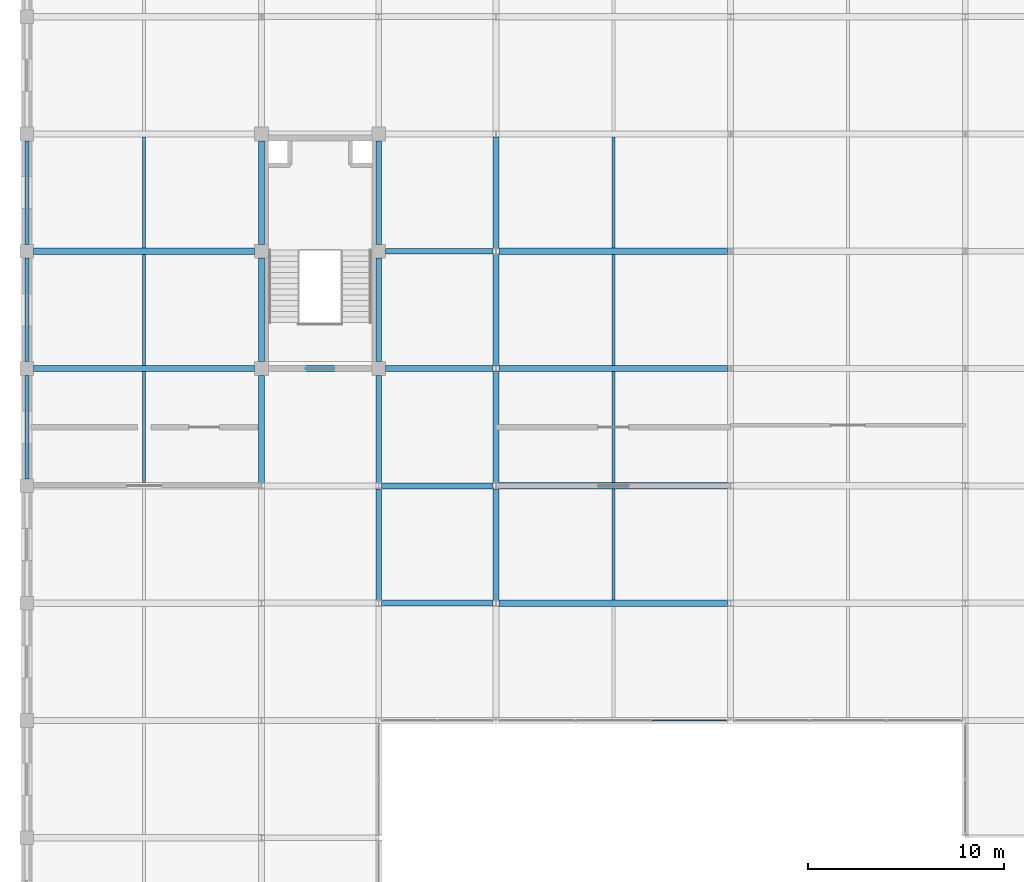
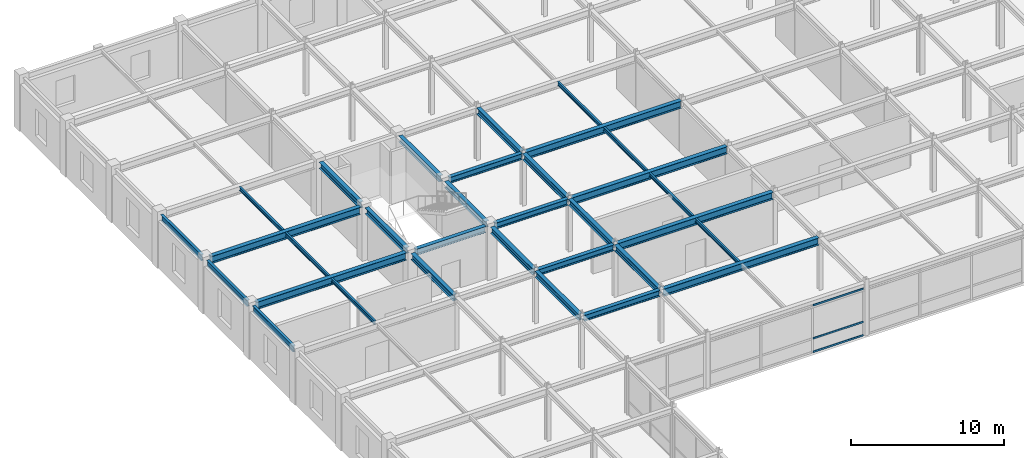
# One storey, part 70 of 108: 32 beams, 3 members, 1 element without a shape of its own.
"""IFC4 building model written with IfcOpenShell, lengths in metres."""

import ifcopenshell
import ifcopenshell.guid

model = None  # the IFC model being written
_history = None  # IfcOwnerHistory: only IFC2X3 demands one
_inside = {}  # id of a spatial element -> (the spatial element, [elements in it])
_under = {}  # id of a project, library or spatial element -> (it, [spatial elements below it])
_declared = {}  # id of a project -> (the project, [libraries it declares])
_typed = {}  # id of a type object -> (the type object, [elements of that type])
_made_of = {}  # id of a material, layer set ... -> (it, [elements and type objects made of it])


def new_model(schema):
    """Start an empty IFC model of exactly this schema.

    Asked for "IFC4X3", IfcOpenShell would pick the latest addendum, in which some entities
    have other attributes; the version numbers below select the first issue.
    IFC2X3 requires an IfcOwnerHistory on every rooted entity: one is made here for all.
    """
    global model, _history
    if schema == "IFC4X3":
        model = ifcopenshell.file(schema_version=(4, 3, 0, 0))
    else:
        model = ifcopenshell.file(schema=schema)
    _inside.clear()
    _under.clear()
    _declared.clear()
    _typed.clear()
    _made_of.clear()
    _history = None
    if model.schema == "IFC2X3":
        org = make("IfcOrganization", Name="unknown")
        user = make(
            "IfcPersonAndOrganization",
            ThePerson=make("IfcPerson", FamilyName="unknown"),
            TheOrganization=org,
        )
        app = make(
            "IfcApplication",
            ApplicationDeveloper=org,
            Version="unknown",
            ApplicationFullName="unknown",
            ApplicationIdentifier="unknown",
        )
        _history = make(
            "IfcOwnerHistory",
            OwningUser=user,
            OwningApplication=app,
            ChangeAction="ADDED",
            CreationDate=0,
        )
    return model


def make(cls, **values):
    """One entity of the class cls with the attributes given. An attribute that is None is left unset."""
    return model.create_entity(
        cls, **{name: value for name, value in values.items() if value is not None}
    )


def rooted(cls, **values):
    """An entity with a GlobalId (a new one), such as an element, a storey or a relation."""
    return make(cls, GlobalId=ifcopenshell.guid.new(), OwnerHistory=_history, **values)


def si_unit(unit_type, name, prefix=None):
    """IfcSIUnit, for example si_unit("LENGTHUNIT", "METRE", prefix="MILLI")."""
    return make("IfcSIUnit", UnitType=unit_type, Prefix=prefix, Name=name)


def assignment(units):
    """IfcUnitAssignment: the units of a project."""
    return None if units is None else make("IfcUnitAssignment", Units=units)


def point(xyz):
    """IfcCartesianPoint."""
    return None if xyz is None else make("IfcCartesianPoint", Coordinates=xyz)


def direction(xyz):
    """IfcDirection."""
    return None if xyz is None else make("IfcDirection", DirectionRatios=xyz)


def frame(location, z_axis=None, x_axis=None):
    """IfcAxis2Placement3D, a coordinate frame: its origin and axes. An axis left out is left unset."""
    return make(
        "IfcAxis2Placement3D",
        Location=point(location),
        Axis=direction(z_axis),
        RefDirection=direction(x_axis),
    )


def frame_2d(location, x_axis=None):
    """IfcAxis2Placement2D, a coordinate frame in the plane: its origin and x axis."""
    return make(
        "IfcAxis2Placement2D", Location=point(location), RefDirection=direction(x_axis)
    )


def origin():
    """The frame at (0, 0, 0) with its axes left unset."""
    return frame((0.0, 0.0, 0.0))


def origin_2d():
    """The frame at (0, 0) in the plane with its x axis left unset."""
    return frame_2d((0.0, 0.0))


def place(relative_to, where):
    """IfcLocalPlacement: puts the frame where relative to a parent placement (None: the world)."""
    return make(
        "IfcLocalPlacement", PlacementRelTo=relative_to, RelativePlacement=where
    )


def context(
    kind, dimensions, precision=None, world=None, true_north=None, identifier=None
):
    """IfcGeometricRepresentationContext, for example the 3D "Model" context."""
    return make(
        "IfcGeometricRepresentationContext",
        ContextIdentifier=identifier,
        ContextType=kind,
        CoordinateSpaceDimension=dimensions,
        Precision=precision,
        WorldCoordinateSystem=world,
        TrueNorth=true_north,
    )


def subcontext(parent, identifier, kind, view, scale=None):
    """IfcGeometricRepresentationSubContext, for example "Body" below "Model"."""
    return make(
        "IfcGeometricRepresentationSubContext",
        ContextIdentifier=identifier,
        ContextType=kind,
        ParentContext=parent,
        TargetScale=scale,
        TargetView=view,
    )


def project(units=None, contexts=None):
    """IfcProject with its units and contexts."""
    return rooted(
        "IfcProject",
        Name="project",
        RepresentationContexts=contexts,
        UnitsInContext=assignment(units),
    )


def spatial(cls, under=None, at=None, **own):
    """A site, building, storey or space (cls), placed at a placement, below another one or the project."""
    s = rooted(cls, ObjectPlacement=at, **own)
    if under is not None:
        _under.setdefault(under.id(), (under, []))[1].append(s)
    return s


def profile(cls, at=None, kind="AREA", **sizes):
    """A parametric profile (cls). Its sizes go by their IFC names, for example OverallWidth=200.0."""
    return make(cls, ProfileType=kind, Position=at, **sizes)


def hollow_rectangle(**sizes):
    """IfcRectangleHollowProfileDef."""
    return profile("IfcRectangleHollowProfileDef", **sizes)


def i_section(**sizes):
    """IfcIShapeProfileDef."""
    return profile("IfcIShapeProfileDef", **sizes)


def extrude(swept, where, along, depth):
    """IfcExtrudedAreaSolid: the profile swept, set in the frame where, extruded along a direction by depth."""
    return make(
        "IfcExtrudedAreaSolid",
        SweptArea=swept,
        Position=where,
        ExtrudedDirection=direction(along),
        Depth=depth,
    )


def shape(context_of_items, identifier, shape_type, items):
    """IfcShapeRepresentation: the items that make up one representation, for example the "Body"."""
    return make(
        "IfcShapeRepresentation",
        ContextOfItems=context_of_items,
        RepresentationIdentifier=identifier,
        RepresentationType=shape_type,
        Items=items,
    )


def material(Name=None, Category=None):
    """IfcMaterial."""
    return make("IfcMaterial", Name=Name, Category=Category)


def layer(
    of_material, thickness, ventilated=None, Name=None, Category=None, Priority=None
):
    """IfcMaterialLayer: one layer of a wall or slab, of a material (None: an air gap)."""
    return make(
        "IfcMaterialLayer",
        Material=of_material,
        LayerThickness=thickness,
        IsVentilated=ventilated,
        Name=Name,
        Category=Category,
        Priority=Priority,
    )


def layer_set(layers, Name=None):
    """IfcMaterialLayerSet."""
    return make("IfcMaterialLayerSet", MaterialLayers=layers, LayerSetName=Name)


def material_profile(
    of_material, cross_section, Name=None, Category=None, Priority=None
):
    """IfcMaterialProfile: a cross section and its material."""
    return make(
        "IfcMaterialProfile",
        Name=Name,
        Material=of_material,
        Profile=cross_section,
        Priority=Priority,
        Category=Category,
    )


def profile_set(profiles, Name=None, composite=None):
    """IfcMaterialProfileSet."""
    return make(
        "IfcMaterialProfileSet",
        Name=Name,
        MaterialProfiles=profiles,
        CompositeProfile=composite,
    )


def made_of(thing, what):
    """Note that an element or type object is made of a material, layer set ...; save() writes the relation."""
    if what is not None:
        _made_of.setdefault(what.id(), (what, []))[1].append(thing)
    return thing


def type_object(cls, material=None, **own):
    """A type object (cls), such as IfcWallType, which elements share."""
    return made_of(rooted(cls, **own), material)


def element(
    cls,
    number,
    at=None,
    inside=None,
    cuts=None,
    type_object=None,
    material=None,
    context=None,
    identifier="Body",
    shape_type=None,
    held_by="IfcProductDefinitionShape",
    body=None,
    shapes=None,
    **own,
):
    """One element of the class cls, such as IfcWall. Its Tag is "e" and its number.

    at: its placement. inside: the storey or other place that contains it. cuts: it is an
    opening in that element (IfcRelVoidsElement). A single representation is given by context,
    identifier, shape_type and body (its items); several are given by shapes. held_by: the class
    of the entity that holds the representations. save() writes the other relations.
    """
    e = rooted(cls, Tag="e%d" % number, ObjectPlacement=at, **own)
    if body is not None:
        shapes = [shape(context, identifier, shape_type, body)]
    if shapes is not None:
        e.Representation = make(held_by, Representations=shapes)
    if inside is not None:
        _inside.setdefault(inside.id(), (inside, []))[1].append(e)
    if cuts is not None:
        rooted(
            "IfcRelVoidsElement", RelatingBuildingElement=cuts, RelatedOpeningElement=e
        )
    if type_object is not None:
        _typed.setdefault(type_object.id(), (type_object, []))[1].append(e)
    return made_of(e, material)


def aggregate(whole, parts):
    """IfcRelAggregates: a whole, such as a stair, and the parts it consists of."""
    return rooted("IfcRelAggregates", RelatingObject=whole, RelatedObjects=parts)


def save(model, path):
    """Write the relations noted so far, then the file.

    IfcRelAggregates (storeys below a building ...), IfcRelContainedInSpatialStructure (elements
    in a storey), IfcRelDefinesByType, IfcRelAssociatesMaterial and IfcRelDeclares: one each for
    every whole, place, type object, material and project.
    """
    for whole, parts in _under.values():
        aggregate(whole, parts)
    for where, things in _inside.values():
        rooted(
            "IfcRelContainedInSpatialStructure",
            RelatedElements=things,
            RelatingStructure=where,
        )
    for kind, things in _typed.values():
        rooted("IfcRelDefinesByType", RelatedObjects=things, RelatingType=kind)
    for what, things in _made_of.values():
        rooted("IfcRelAssociatesMaterial", RelatedObjects=things, RelatingMaterial=what)
    for by, libraries in _declared.values():
        rooted("IfcRelDeclares", RelatingContext=by, RelatedDefinitions=libraries)
    model.write(path)


model = new_model("IFC4")

# Units and contexts
model_context = context("Model", 3, precision=1e-05, world=origin(), true_north=direction((0.0, 1.0)))
body_context = subcontext(model_context, "Body", "Model", "MODEL_VIEW")
ifc_project = project(units=[si_unit("LENGTHUNIT", "METRE"), si_unit("AREAUNIT", "SQUARE_METRE"), si_unit("VOLUMEUNIT", "CUBIC_METRE"), si_unit("PLANEANGLEUNIT", "RADIAN"), si_unit("MASSUNIT", "GRAM", prefix="KILO")], contexts=[model_context])

# Site, building, storey
site_placement = place(None, origin())
site = spatial("IfcSite", under=ifc_project, at=site_placement, CompositionType="ELEMENT")
building_placement = place(site_placement, origin())
building = spatial("IfcBuilding", under=site, at=building_placement, Name="Zlatovratsky Civic Hall", CompositionType="ELEMENT")
storey_placement = place(building_placement, frame((0.0, 0.0, 12.0)))
storey = spatial("IfcBuildingStorey", under=building, at=storey_placement, Name="L03", CompositionType="ELEMENT", Elevation=12.0)

# Beams
ifc_material_1 = material(Name="Steel S355", Category="steel")
ifc_material_profile_1 = material_profile(ifc_material_1, i_section(OverallWidth=0.300048828125, OverallDepth=0.48193359375, WebThickness=0.010986328125, FlangeThickness=0.014892578125, FilletRadius=0.02392578125, at=origin_2d()), Name="50Sh1")
ifc_profile_set_1 = profile_set([ifc_material_profile_1], Name="Steel S355")
beam_type_1 = type_object("IfcBeamType", Name="Beam_LibraryGirder_50Sh1", PredefinedType="BEAM", material=ifc_profile_set_1)
for number, where, z_axis, x_axis, name in (
    (1, (18.1494140625, 72.0, 3.97900390625), (1.0, 0.0, 0.0), (0.0, 1.0, 0.0), "BM-2623"),
    (2, (18.1494140625, 78.0, 3.97900390625), (1.0, 0.0, 0.0), (0.0, 1.0, 0.0), "BM-2645"),
):
    element("IfcBeam", number, at=place(storey_placement, frame(where, z_axis=z_axis, x_axis=x_axis)), inside=storey, type_object=beam_type_1, Name=name, PredefinedType="BEAM", context=body_context, shape_type="SweptSolid", body=[
        extrude(i_section(OverallWidth=0.300048828125, OverallDepth=0.48193359375, WebThickness=0.010986328125, FlangeThickness=0.014892578125, FilletRadius=0.02392578125, at=origin_2d()), origin(), (0.0, 0.0, 1.0), 5.701171875),
    ])
beam_1_placement = place(storey_placement, frame((12.35009765625, 84.0, 3.97900390625), z_axis=(1.0, 0.0, 0.0), x_axis=(0.0, 1.0, 0.0)))
element("IfcBeam", 3, at=beam_1_placement, inside=storey, type_object=beam_type_1, Name="BM-2666", PredefinedType="BEAM", context=body_context, shape_type="SweptSolid", body=[
    extrude(i_section(OverallWidth=0.300048828125, OverallDepth=0.48193359375, WebThickness=0.010986328125, FlangeThickness=0.014892578125, FilletRadius=0.02392578125, at=origin_2d()), origin(), (0.0, 0.0, 1.0), 5.2998046875),
])
for number, where, z_axis, x_axis, name in (
    (4, (18.35009765625, 84.0, 3.97900390625), (1.0, 0.0, 0.0), (0.0, 1.0, 0.0), "BM-2667"),
    (5, (18.35009765625, 90.0, 3.97900390625), (1.0, 0.0, 0.0), (0.0, 1.0, 0.0), "BM-2688"),
):
    element("IfcBeam", number, at=place(storey_placement, frame(where, z_axis=z_axis, x_axis=x_axis)), inside=storey, type_object=beam_type_1, Name=name, PredefinedType="BEAM", context=body_context, shape_type="SweptSolid", body=[
        extrude(i_section(OverallWidth=0.300048828125, OverallDepth=0.48193359375, WebThickness=0.010986328125, FlangeThickness=0.014892578125, FilletRadius=0.02392578125, at=origin_2d()), origin(), (0.0, 0.0, 1.0), 5.50048828125),
    ])
beam_2_placement = place(storey_placement, frame((12.0, 78.14794921875, 3.97900390625), z_axis=(0.0, 1.0, 0.0), x_axis=(-1.0, 0.0, 0.0)))
element("IfcBeam", 6, at=beam_2_placement, inside=storey, type_object=beam_type_1, Name="BM-2821", PredefinedType="BEAM", context=body_context, shape_type="SweptSolid", body=[
    extrude(i_section(OverallWidth=0.300048828125, OverallDepth=0.48193359375, WebThickness=0.010986328125, FlangeThickness=0.014892578125, FilletRadius=0.02392578125, at=origin_2d()), origin(), (0.0, 0.0, 1.0), 5.501953125),
])
for number, where, z_axis, x_axis, name in (
    (7, (12.0, 84.35009765625, 3.97900390625), (0.0, 1.0, 0.0), (-1.0, 0.0, 0.0), "BM-2822"),
    (8, (12.0, 90.35009765625, 3.97900390625), (0.0, 1.0, 0.0), (-1.0, 0.0, 0.0), "BM-2823"),
):
    element("IfcBeam", number, at=place(storey_placement, frame(where, z_axis=z_axis, x_axis=x_axis)), inside=storey, type_object=beam_type_1, Name=name, PredefinedType="BEAM", context=body_context, shape_type="SweptSolid", body=[
        extrude(i_section(OverallWidth=0.300048828125, OverallDepth=0.48193359375, WebThickness=0.010986328125, FlangeThickness=0.014892578125, FilletRadius=0.02392578125, at=origin_2d()), origin(), (0.0, 0.0, 1.0), 5.2998046875),
    ])
beam_3_placement = place(storey_placement, frame((18.0, 72.14794921875, 3.97900390625), z_axis=(0.0, 1.0, 0.0), x_axis=(-1.0, 0.0, 0.0)))
element("IfcBeam", 9, at=beam_3_placement, inside=storey, type_object=beam_type_1, Name="BM-2837", PredefinedType="BEAM", context=body_context, shape_type="SweptSolid", body=[
    extrude(i_section(OverallWidth=0.300048828125, OverallDepth=0.48193359375, WebThickness=0.010986328125, FlangeThickness=0.014892578125, FilletRadius=0.02392578125, at=origin_2d()), origin(), (0.0, 0.0, 1.0), 5.7041015625),
])
beam_4_placement = place(storey_placement, frame((18.0, 78.14794921875, 3.97900390625), z_axis=(0.0, 1.0, 0.0), x_axis=(-1.0, 0.0, 0.0)))
element("IfcBeam", 10, at=beam_4_placement, inside=storey, type_object=beam_type_1, Name="BM-2838", PredefinedType="BEAM", context=body_context, shape_type="SweptSolid", body=[
    extrude(i_section(OverallWidth=0.300048828125, OverallDepth=0.48193359375, WebThickness=0.010986328125, FlangeThickness=0.014892578125, FilletRadius=0.02392578125, at=origin_2d()), origin(), (0.0, 0.0, 1.0), 5.501953125),
])
for number, where, z_axis, x_axis, name in (
    (11, (18.0, 84.35009765625, 3.97900390625), (0.0, 1.0, 0.0), (-1.0, 0.0, 0.0), "BM-2839"),
    (12, (18.0, 90.35009765625, 3.97900390625), (0.0, 1.0, 0.0), (-1.0, 0.0, 0.0), "BM-2840"),
):
    element("IfcBeam", number, at=place(storey_placement, frame(where, z_axis=z_axis, x_axis=x_axis)), inside=storey, type_object=beam_type_1, Name=name, PredefinedType="BEAM", context=body_context, shape_type="SweptSolid", body=[
        extrude(i_section(OverallWidth=0.300048828125, OverallDepth=0.48193359375, WebThickness=0.010986328125, FlangeThickness=0.014892578125, FilletRadius=0.02392578125, at=origin_2d()), origin(), (0.0, 0.0, 1.0), 5.2998046875),
    ])
for number, where, z_axis, x_axis, name in (
    (13, (24.0, 72.14794921875, 3.97900390625), (0.0, 1.0, 0.0), (-1.0, 0.0, 0.0), "BM-2848"),
    (14, (24.0, 78.14794921875, 3.97900390625), (0.0, 1.0, 0.0), (-1.0, 0.0, 0.0), "BM-2849"),
    (15, (24.0, 84.14794921875, 3.97900390625), (0.0, 1.0, 0.0), (-1.0, 0.0, 0.0), "BM-2850"),
    (16, (24.0, 90.14794921875, 3.97900390625), (0.0, 1.0, 0.0), (-1.0, 0.0, 0.0), "BM-2851"),
):
    element("IfcBeam", number, at=place(storey_placement, frame(where, z_axis=z_axis, x_axis=x_axis)), inside=storey, type_object=beam_type_1, Name=name, PredefinedType="BEAM", context=body_context, shape_type="SweptSolid", body=[
        extrude(i_section(OverallWidth=0.300048828125, OverallDepth=0.48193359375, WebThickness=0.010986328125, FlangeThickness=0.014892578125, FilletRadius=0.02392578125, at=origin_2d()), origin(), (0.0, 0.0, 1.0), 5.7041015625),
    ])
ifc_material_profile_2 = material_profile(ifc_material_1, i_section(OverallWidth=0.320068359375, OverallDepth=0.58203125, WebThickness=0.011962890625, FlangeThickness=0.01708984375, FilletRadius=0.02392578125, at=origin_2d()), Name="60Sh1")
ifc_profile_set_2 = profile_set([ifc_material_profile_2], Name="Steel S355")
beam_type_2 = type_object("IfcBeamType", Name="Beam_PodiumGirder_60Sh1", PredefinedType="BEAM", material=ifc_profile_set_2)
for number, where, z_axis, x_axis, name in (
    (17, (24.1494140625, 72.0, 3.928955078125), (1.0, 0.0, 0.0), (0.0, 1.0, 0.0), "BM-2624"),
    (18, (24.1494140625, 78.0, 3.928955078125), (1.0, 0.0, 0.0), (0.0, 1.0, 0.0), "BM-2646"),
):
    element("IfcBeam", number, at=place(storey_placement, frame(where, z_axis=z_axis, x_axis=x_axis)), inside=storey, type_object=beam_type_2, Name=name, PredefinedType="BEAM", context=body_context, shape_type="SweptSolid", body=[
        extrude(i_section(OverallWidth=0.320068359375, OverallDepth=0.58203125, WebThickness=0.011962890625, FlangeThickness=0.01708984375, FilletRadius=0.02392578125, at=origin_2d()), origin(), (0.0, 0.0, 1.0), 11.701171875),
    ])
beam_5_placement = place(storey_placement, frame((0.35009765625, 84.0, 3.928955078125), z_axis=(1.0, 0.0, 0.0), x_axis=(0.0, 1.0, 0.0)))
element("IfcBeam", 19, at=beam_5_placement, inside=storey, type_object=beam_type_2, Name="BM-2665", PredefinedType="BEAM", context=body_context, shape_type="SweptSolid", body=[
    extrude(i_section(OverallWidth=0.320068359375, OverallDepth=0.58203125, WebThickness=0.011962890625, FlangeThickness=0.01708984375, FilletRadius=0.02392578125, at=origin_2d()), origin(), (0.0, 0.0, 1.0), 11.2998046875),
])
beam_6_placement = place(storey_placement, frame((24.1494140625, 84.0, 3.928955078125), z_axis=(1.0, 0.0, 0.0), x_axis=(0.0, 1.0, 0.0)))
element("IfcBeam", 20, at=beam_6_placement, inside=storey, type_object=beam_type_2, Name="BM-2668", PredefinedType="BEAM", context=body_context, shape_type="SweptSolid", body=[
    extrude(i_section(OverallWidth=0.320068359375, OverallDepth=0.58203125, WebThickness=0.011962890625, FlangeThickness=0.01708984375, FilletRadius=0.02392578125, at=origin_2d()), origin(), (0.0, 0.0, 1.0), 11.701171875),
])
beam_7_placement = place(storey_placement, frame((0.35009765625, 90.0, 3.928955078125), z_axis=(1.0, 0.0, 0.0), x_axis=(0.0, 1.0, 0.0)))
element("IfcBeam", 21, at=beam_7_placement, inside=storey, type_object=beam_type_2, Name="BM-2687", PredefinedType="BEAM", context=body_context, shape_type="SweptSolid", body=[
    extrude(i_section(OverallWidth=0.320068359375, OverallDepth=0.58203125, WebThickness=0.011962890625, FlangeThickness=0.01708984375, FilletRadius=0.02392578125, at=origin_2d()), origin(), (0.0, 0.0, 1.0), 11.2998046875),
])
beam_8_placement = place(storey_placement, frame((24.1494140625, 90.0, 3.928955078125), z_axis=(1.0, 0.0, 0.0), x_axis=(0.0, 1.0, 0.0)))
element("IfcBeam", 22, at=beam_8_placement, inside=storey, type_object=beam_type_2, Name="BM-2689", PredefinedType="BEAM", context=body_context, shape_type="SweptSolid", body=[
    extrude(i_section(OverallWidth=0.320068359375, OverallDepth=0.58203125, WebThickness=0.011962890625, FlangeThickness=0.01708984375, FilletRadius=0.02392578125, at=origin_2d()), origin(), (0.0, 0.0, 1.0), 11.701171875),
])
ifc_material_profile_3 = material_profile(ifc_material_1, i_section(OverallWidth=0.198974609375, OverallDepth=0.491943359375, WebThickness=0.0087890625, FlangeThickness=0.011962890625, FilletRadius=0.01611328125, at=origin_2d()), Name="50B1")
ifc_profile_set_3 = profile_set([ifc_material_profile_3], Name="Steel S355")
beam_type_3 = type_object("IfcBeamType", Name="Beam_Spandrel_50B1", PredefinedType="SPANDREL", material=ifc_profile_set_3)
for number, where, z_axis, x_axis, name in (
    (23, (0.0, 78.35009765625, 3.97412109375), (0.0, 1.0, 0.0), (-1.0, 0.0, 0.0), "BM-2804"),
    (24, (0.0, 84.35009765625, 3.97412109375), (0.0, 1.0, 0.0), (-1.0, 0.0, 0.0), "BM-2805"),
    (25, (0.0, 90.35009765625, 3.97412109375), (0.0, 1.0, 0.0), (-1.0, 0.0, 0.0), "BM-2806"),
):
    element("IfcBeam", number, at=place(storey_placement, frame(where, z_axis=z_axis, x_axis=x_axis)), inside=storey, type_object=beam_type_3, Name=name, PredefinedType="SPANDREL", context=body_context, shape_type="SweptSolid", body=[
        extrude(i_section(OverallWidth=0.198974609375, OverallDepth=0.491943359375, WebThickness=0.0087890625, FlangeThickness=0.011962890625, FilletRadius=0.01611328125, at=origin_2d()), origin(), (0.0, 0.0, 1.0), 5.2998046875),
    ])

# Curtain wall, members
ifc_material_2 = material(Name="Anodised bronze aluminium", Category="aluminium")
ifc_layer = layer(ifc_material_2, 0.159912109375)
ifc_layer_set = layer_set([ifc_layer], Name="Anodised bronze aluminium")
curtain_wall_type = type_object("IfcCurtainWallType", Name="CurtainWall_Bronze_11700x3770_11", PredefinedType="NOTDEFINED", material=ifc_layer_set)
curtain_wall_placement = place(storey_placement, origin())
curtain_wall = element("IfcCurtainWall", 26, at=curtain_wall_placement, inside=storey, type_object=curtain_wall_type, Name="CW-055", PredefinedType="NOTDEFINED")
ifc_material_profile_4 = material_profile(ifc_material_2, hollow_rectangle(XDim=0.06005859375, YDim=0.139892578125, WallThickness=0.00390625, at=origin_2d()), Name="ALU 60x140x4")
ifc_profile_set_4 = profile_set([ifc_material_profile_4], Name="Anodised bronze aluminium")
member_type = type_object("IfcMemberType", Name="CW_Transom_60x140", PredefinedType="USERDEFINED", material=ifc_profile_set_4)
member_1_placement = place(storey_placement, frame((31.980224609375, 66.0, 0.030029296875), z_axis=(1.0, 0.0, 0.0), x_axis=(0.0, 1.0, 0.0)))
member_1 = element("IfcMember", 27, at=member_1_placement, type_object=member_type, Name="CW-11 transom 3.1", ObjectType="TRANSOM", PredefinedType="USERDEFINED", context=body_context, shape_type="SweptSolid", body=[
    extrude(hollow_rectangle(XDim=0.06005859375, YDim=0.139892578125, WallThickness=0.00390625, at=origin_2d()), origin(), (0.0, 0.0, 1.0), 3.810302734375),
])
member_2_placement = place(storey_placement, frame((31.980224609375, 66.0, 1.10009765625), z_axis=(1.0, 0.0, 0.0), x_axis=(0.0, 1.0, 0.0)))
member_2 = element("IfcMember", 28, at=member_2_placement, type_object=member_type, Name="CW-11 transom 3.2", ObjectType="TRANSOM", PredefinedType="USERDEFINED", context=body_context, shape_type="SweptSolid", body=[
    extrude(hollow_rectangle(XDim=0.06005859375, YDim=0.139892578125, WallThickness=0.00390625, at=origin_2d()), origin(), (0.0, 0.0, 1.0), 3.810302734375),
])
member_3_placement = place(storey_placement, frame((31.980224609375, 66.0, 3.739990234375), z_axis=(1.0, 0.0, 0.0), x_axis=(0.0, 1.0, 0.0)))
member_3 = element("IfcMember", 29, at=member_3_placement, type_object=member_type, Name="CW-11 transom 3.3", ObjectType="TRANSOM", PredefinedType="USERDEFINED", context=body_context, shape_type="SweptSolid", body=[
    extrude(hollow_rectangle(XDim=0.06005859375, YDim=0.139892578125, WallThickness=0.00390625, at=origin_2d()), origin(), (0.0, 0.0, 1.0), 3.810302734375),
])
aggregate(curtain_wall, [member_1, member_2, member_3])

# Beams
ifc_material_profile_5 = material_profile(ifc_material_1, i_section(OverallWidth=0.14892578125, OverallDepth=0.2958984375, WebThickness=0.005615234375, FlangeThickness=0.008056640625, FilletRadius=0.012939453125, at=origin_2d()), Name="30B1")
ifc_profile_set_5 = profile_set([ifc_material_profile_5], Name="Steel S355")
beam_type_4 = type_object("IfcBeamType", Name="Joist_Tower_30B1", PredefinedType="JOIST", material=ifc_profile_set_5)
for number, where, z_axis, x_axis, name in (
    (30, (30.0, 72.159912109375, 4.072021484375), (0.0, 1.0, 0.0), (-1.0, 0.0, 0.0), "BM-3157"),
    (31, (6.0, 78.159912109375, 4.072021484375), (0.0, 1.0, 0.0), (-1.0, 0.0, 0.0), "BM-3162"),
    (32, (30.0, 78.159912109375, 4.072021484375), (0.0, 1.0, 0.0), (-1.0, 0.0, 0.0), "BM-3163"),
    (33, (6.0, 84.159912109375, 4.072021484375), (0.0, 1.0, 0.0), (-1.0, 0.0, 0.0), "BM-3168"),
    (34, (30.0, 84.159912109375, 4.072021484375), (0.0, 1.0, 0.0), (-1.0, 0.0, 0.0), "BM-3169"),
    (35, (6.0, 90.159912109375, 4.072021484375), (0.0, 1.0, 0.0), (-1.0, 0.0, 0.0), "BM-3174"),
    (36, (30.0, 90.159912109375, 4.072021484375), (0.0, 1.0, 0.0), (-1.0, 0.0, 0.0), "BM-3175"),
):
    element("IfcBeam", number, at=place(storey_placement, frame(where, z_axis=z_axis, x_axis=x_axis)), inside=storey, type_object=beam_type_4, Name=name, PredefinedType="JOIST", context=body_context, shape_type="SweptSolid", body=[
        extrude(i_section(OverallWidth=0.14892578125, OverallDepth=0.2958984375, WebThickness=0.005615234375, FlangeThickness=0.008056640625, FilletRadius=0.012939453125, at=origin_2d()), origin(), (0.0, 0.0, 1.0), 5.68017578125),
    ])

save(model, "model.ifc")
